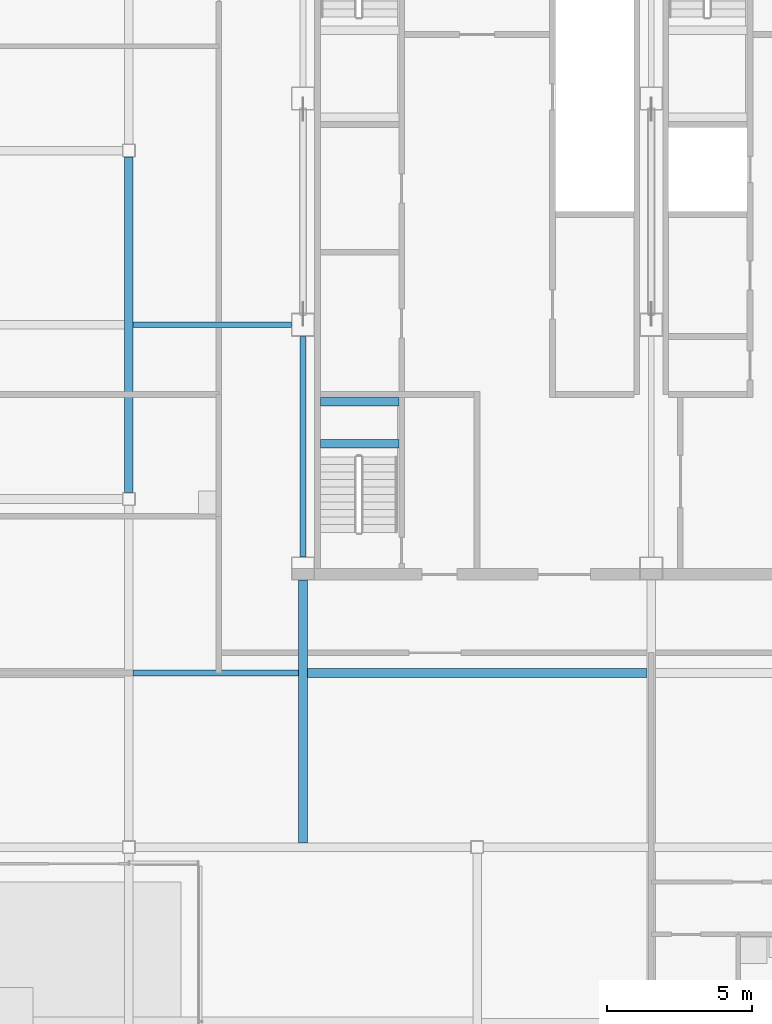
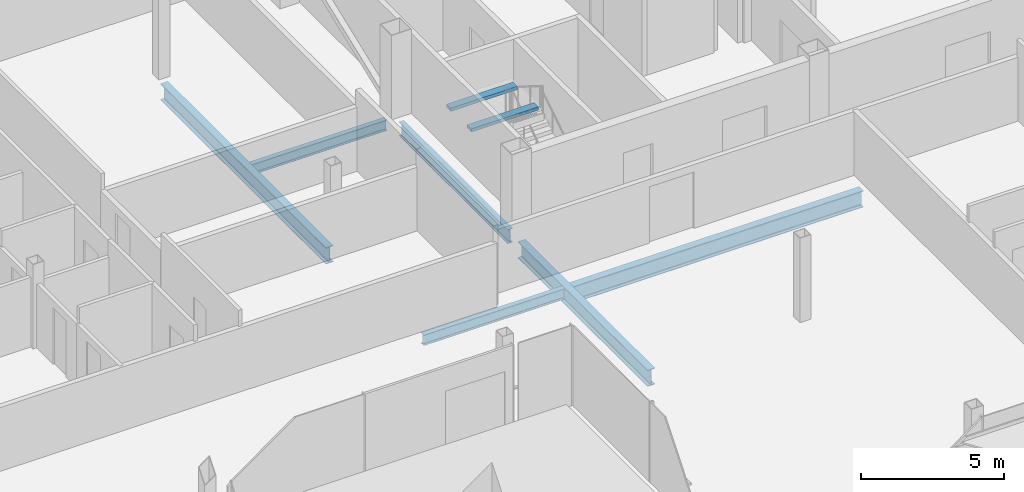
# One storey, part 9 of 31: 8 beams.
"""IFC4 building model written with IfcOpenShell, lengths in metres."""

from ifc_helpers import new_model, si_unit, direction, frame, origin, origin_2d, place, context, subcontext, project, spatial, rectangle, i_section, extrude, material, material_profile, profile_set, type_object, element, save


model = new_model("IFC4")

# Units and contexts
model_context = context("Model", 3, precision=1e-05, world=origin(), true_north=direction((0.0, 1.0)))
body_context = subcontext(model_context, "Body", "Model", "MODEL_VIEW")
ifc_project = project(units=[si_unit("LENGTHUNIT", "METRE"), si_unit("AREAUNIT", "SQUARE_METRE"), si_unit("VOLUMEUNIT", "CUBIC_METRE"), si_unit("PLANEANGLEUNIT", "RADIAN"), si_unit("MASSUNIT", "GRAM", prefix="KILO")], contexts=[model_context])

# Site, building, storey
site_placement = place(None, origin())
site = spatial("IfcSite", under=ifc_project, at=site_placement, CompositionType="ELEMENT")
building_placement = place(site_placement, origin())
building = spatial("IfcBuilding", under=site, at=building_placement, Name="Sorahane Residences", CompositionType="ELEMENT")
storey_placement = place(building_placement, frame((0.0, 0.0, 319.60009765625)))
storey = spatial("IfcBuildingStorey", under=building, at=storey_placement, Name="L76", CompositionType="ELEMENT", Elevation=319.60009765625)

# Beams
ifc_material_1 = material(Name="Concrete C40", Category="concrete")
ifc_material_profile_1 = material_profile(ifc_material_1, rectangle(XDim=0.300048828125, YDim=0.139892578125, at=origin_2d()), Name="300x140")
ifc_profile_set_1 = profile_set([ifc_material_profile_1], Name="Concrete C40")
beam_type_1 = type_object("IfcBeamType", Name="RC landing beam 300 x 140 Concrete C40", PredefinedType="BEAM", material=ifc_profile_set_1)
for number, where, z_axis, x_axis, name in (
    (1, (6.60009765625, 25.89990234375, 1.52978515625), (1.0, 0.0, 0.0), (0.0, 1.0, 0.0), "Landing beam"),
    (2, (6.60009765625, 27.35009765625, 1.52978515625), (1.0, 0.0, 0.0), (0.0, 1.0, 0.0), "Landing beam"),
):
    element("IfcBeam", number, at=place(storey_placement, frame(where, z_axis=z_axis, x_axis=x_axis)), inside=storey, type_object=beam_type_1, Name=name, PredefinedType="BEAM", context=body_context, shape_type="SweptSolid", body=[
        extrude(rectangle(XDim=0.300048828125, YDim=0.139892578125, at=origin_2d()), origin(), (0.0, 0.0, 1.0), 2.699951171875),
    ])
ifc_material_2 = material(Name="Steel Q355B", Category="steel")
ifc_material_profile_2 = material_profile(ifc_material_2, i_section(OverallWidth=0.199951171875, OverallDepth=0.449951171875, WebThickness=0.009033203125, FlangeThickness=0.013916015625, FilletRadius=0.02001953125, at=origin_2d()), Name="HN 450x200x9x14")
ifc_profile_set_2 = profile_set([ifc_material_profile_2], Name="Steel Q355B")
beam_type_2 = type_object("IfcBeamType", Name="Steel floor beam HN 450x200x9x14 Q355B", PredefinedType="BEAM", material=ifc_profile_set_2)
beam_1_placement = place(storey_placement, frame((0.14990234375, 18.0, -0.405029296875), z_axis=(1.0, 0.0, 0.0), x_axis=(0.0, 1.0, 0.0)))
element("IfcBeam", 3, at=beam_1_placement, inside=storey, type_object=beam_type_2, Name="Beam L76 076", PredefinedType="BEAM", context=body_context, shape_type="SweptSolid", body=[
    extrude(i_section(OverallWidth=0.199951171875, OverallDepth=0.449951171875, WebThickness=0.009033203125, FlangeThickness=0.013916015625, FilletRadius=0.02001953125, at=origin_2d()), origin(), (0.0, 0.0, 1.0), 5.7001953125),
])
beam_2_placement = place(storey_placement, frame((0.14990234375, 30.0, -0.405029296875), z_axis=(1.0, 0.0, 0.0), x_axis=(0.0, 1.0, 0.0)))
element("IfcBeam", 4, at=beam_2_placement, inside=storey, type_object=beam_type_2, Name="Beam L76 083", PredefinedType="BEAM", context=body_context, shape_type="SweptSolid", body=[
    extrude(i_section(OverallWidth=0.199951171875, OverallDepth=0.449951171875, WebThickness=0.009033203125, FlangeThickness=0.013916015625, FilletRadius=0.02001953125, at=origin_2d()), origin(), (0.0, 0.0, 1.0), 5.4501953125),
])
ifc_material_3 = material(Name="Steel Q355B", Category="steel")
ifc_material_profile_3 = material_profile(ifc_material_3, i_section(OverallWidth=0.199951171875, OverallDepth=0.60009765625, WebThickness=0.010986328125, FlangeThickness=0.01708984375, FilletRadius=0.02392578125, at=origin_2d()), Name="HN 600x200x11x17")
ifc_profile_set_3 = profile_set([ifc_material_profile_3], Name="Steel Q355B")
beam_type_3 = type_object("IfcBeamType", Name="Steel floor beam HN 600x200x11x17 Q355B", PredefinedType="BEAM", material=ifc_profile_set_3)
beam_3_placement = place(storey_placement, frame((6.0, 22.0, -0.47998046875), z_axis=(0.0, 1.0, 0.0), x_axis=(-1.0, 0.0, 0.0)))
element("IfcBeam", 5, at=beam_3_placement, inside=storey, type_object=beam_type_3, Name="Beam L76 033", PredefinedType="BEAM", context=body_context, shape_type="SweptSolid", body=[
    extrude(i_section(OverallWidth=0.199951171875, OverallDepth=0.60009765625, WebThickness=0.010986328125, FlangeThickness=0.01708984375, FilletRadius=0.02392578125, at=origin_2d()), origin(), (0.0, 0.0, 1.0), 7.60009765625),
])
ifc_material_4 = material(Name="Steel Q355B", Category="steel")
ifc_material_profile_4 = material_profile(ifc_material_4, i_section(OverallWidth=0.300048828125, OverallDepth=0.699951171875, WebThickness=0.012939453125, FlangeThickness=0.02392578125, FilletRadius=0.028076171875, at=origin_2d()), Name="HN 700x300x13x24")
ifc_profile_set_4 = profile_set([ifc_material_profile_4], Name="Steel Q355B")
beam_type_4 = type_object("IfcBeamType", Name="Steel floor beam HN 700x300x13x24 Q355B", PredefinedType="BEAM", material=ifc_profile_set_4)
beam_4_placement = place(storey_placement, frame((0.0, 24.22509765625, -0.530029296875), z_axis=(0.0, 1.0, 0.0), x_axis=(-1.0, 0.0, 0.0)))
element("IfcBeam", 6, at=beam_4_placement, inside=storey, type_object=beam_type_4, Name="Beam L76 030", PredefinedType="BEAM", context=body_context, shape_type="SweptSolid", body=[
    extrude(i_section(OverallWidth=0.300048828125, OverallDepth=0.699951171875, WebThickness=0.012939453125, FlangeThickness=0.02392578125, FilletRadius=0.028076171875, at=origin_2d()), origin(), (0.0, 0.0, 1.0), 11.5498046875),
])
beam_5_placement = place(storey_placement, frame((6.0, 12.14990234375, -0.530029296875), z_axis=(0.0, 1.0, 0.0), x_axis=(-1.0, 0.0, 0.0)))
element("IfcBeam", 7, at=beam_5_placement, inside=storey, type_object=beam_type_4, Name="Beam L76 032", PredefinedType="BEAM", context=body_context, shape_type="SweptSolid", body=[
    extrude(i_section(OverallWidth=0.300048828125, OverallDepth=0.699951171875, WebThickness=0.012939453125, FlangeThickness=0.02392578125, FilletRadius=0.028076171875, at=origin_2d()), origin(), (0.0, 0.0, 1.0), 9.050048828125),
])
beam_6_placement = place(storey_placement, frame((6.14990234375, 18.0, -0.530029296875), z_axis=(1.0, 0.0, 0.0), x_axis=(0.0, 1.0, 0.0)))
element("IfcBeam", 8, at=beam_6_placement, inside=storey, type_object=beam_type_4, Name="Beam L76 077", PredefinedType="BEAM", context=body_context, shape_type="SweptSolid", body=[
    extrude(i_section(OverallWidth=0.300048828125, OverallDepth=0.699951171875, WebThickness=0.012939453125, FlangeThickness=0.02392578125, FilletRadius=0.028076171875, at=origin_2d()), origin(), (0.0, 0.0, 1.0), 11.7001953125),
])

save(model, "model.ifc")
